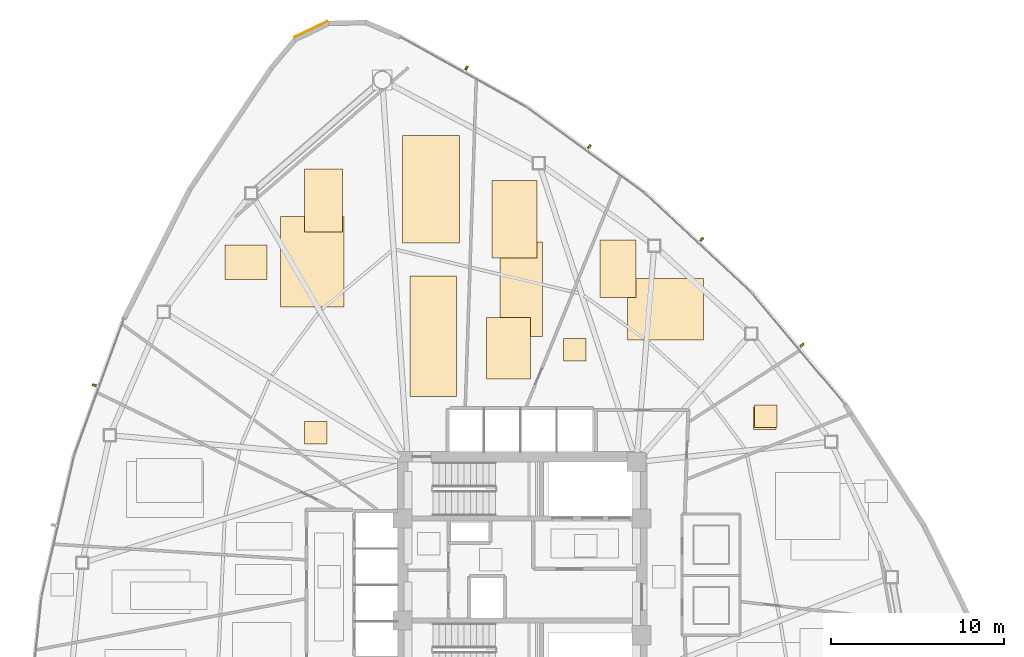
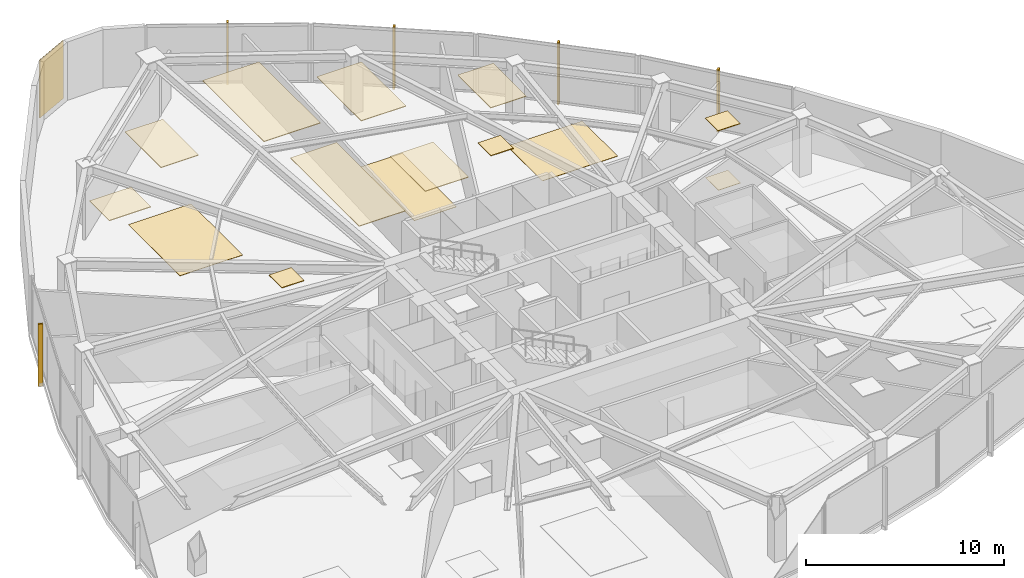
# One storey, part 17 of 17: 15 coverings, 5 shading devices.
"""IFC4 building model written with IfcOpenShell, lengths in metres."""

from ifc_helpers import new_model, si_unit, direction, frame, origin, origin_2d, place, context, subcontext, project, spatial, polyline, rectangle, outline, extrude, source, transform, mapped, material, layer, layer_set, type_object, type_shapes, element, save


model = new_model("IFC4")

# Units and contexts
model_context = context("Model", 3, precision=1e-05, world=origin(), true_north=direction((0.0, 1.0)))
body_context = subcontext(model_context, "Body", "Model", "MODEL_VIEW")
ifc_project = project(units=[si_unit("LENGTHUNIT", "METRE"), si_unit("AREAUNIT", "SQUARE_METRE"), si_unit("VOLUMEUNIT", "CUBIC_METRE"), si_unit("PLANEANGLEUNIT", "RADIAN"), si_unit("MASSUNIT", "GRAM", prefix="KILO")], contexts=[model_context])

# Site, building, storey
site_placement = place(None, origin())
site = spatial("IfcSite", under=ifc_project, at=site_placement, CompositionType="ELEMENT")
building_placement = place(site_placement, origin())
building = spatial("IfcBuilding", under=site, at=building_placement, Name="Tavelor Broadcast Tower", CompositionType="ELEMENT")
storey_placement = place(building_placement, frame((0.0, 0.0, 82.199951171875)))
storey = spatial("IfcBuildingStorey", under=building, at=storey_placement, Name="L19", CompositionType="ELEMENT", Elevation=82.199951171875)

# Coverings
ifc_material_1 = material(Name="Copper-Bronze Anodized Aluminium", Category="aluminium")
ifc_layer_1 = layer(ifc_material_1, 0.050048828125)
ifc_layer_set_1 = layer_set([ifc_layer_1], Name="Copper-Bronze Anodized Aluminium")
covering_type_1 = type_object("IfcCoveringType", Name="Champagne-Bronze Corner Pier Metal Cladding 50 mm", PredefinedType="CLADDING", material=ifc_layer_set_1)
covering_1_placement = place(storey_placement, frame((37.797607421875, 76.20263671875, 0.02001953125), z_axis=(0.0, 0.0, 1.0), x_axis=(-0.901455117112, -0.43287258152, 0.0)))
element("IfcCovering", 1, at=covering_1_placement, inside=storey, type_object=covering_type_1, Name="L19 Champagne-Bronze Corner Cladding 03", PredefinedType="CLADDING", context=body_context, shape_type="SweptSolid", body=[
    extrude(rectangle(XDim=2.110595703125, YDim=0.050048828125, at=origin_2d()), origin(), (0.0, 0.0, 1.0), 3.56005859375),
])
ifc_material_2 = material(Name="Acoustic Nylon Carpet Tile")
ifc_layer_2 = layer(ifc_material_2, 0.02001953125)
ifc_layer_set_2 = layer_set([ifc_layer_2], Name="Acoustic Nylon Carpet Tile")
covering_type_2 = type_object("IfcCoveringType", Name="Heavy-Duty Acoustic Broadcast Carpet Tile 20 mm", PredefinedType="FLOORING", material=ifc_layer_set_2)
covering_2_placement = place(storey_placement, origin())
element("IfcCovering", 2, at=covering_2_placement, inside=storey, type_object=covering_type_2, Name="L19 Broadcast Floor Finish 0282", PredefinedType="FLOORING", context=body_context, shape_type="SweptSolid", body=[
    extrude(outline(polyline([(36.046142578125, 60.165771484375), (39.707275390625, 60.165771484375), (39.707275390625, 65.37353515625), (36.046142578125, 65.37353515625), (36.046142578125, 60.165771484375)])), origin(), (0.0, 0.0, 1.0), 0.02001953125),
])
covering_3_placement = place(storey_placement, origin())
element("IfcCovering", 3, at=covering_3_placement, inside=storey, type_object=covering_type_2, Name="L19 Broadcast Floor Finish 0283", PredefinedType="FLOORING", context=body_context, shape_type="SweptSolid", body=[
    extrude(outline(polyline([(48.7333984375, 58.44189453125), (51.1826171875, 58.44189453125), (51.1826171875, 63.902099609375), (48.7333984375, 63.902099609375), (48.7333984375, 58.44189453125)])), origin(), (0.0, 0.0, 1.0), 0.02001953125),
])
covering_4_placement = place(storey_placement, origin())
element("IfcCovering", 4, at=covering_4_placement, inside=storey, type_object=covering_type_2, Name="L19 Broadcast Floor Finish 0284", PredefinedType="FLOORING", context=body_context, shape_type="SweptSolid", body=[
    extrude(outline(polyline([(56.080810546875, 58.2431640625), (60.470703125, 58.2431640625), (60.470703125, 61.801025390625), (56.080810546875, 61.801025390625), (56.080810546875, 58.2431640625)])), origin(), (0.0, 0.0, 1.0), 0.02001953125),
])
covering_5_placement = place(storey_placement, origin())
element("IfcCovering", 5, at=covering_5_placement, inside=storey, type_object=covering_type_2, Name="L19 Broadcast Floor Finish 0285", PredefinedType="FLOORING", context=body_context, shape_type="SweptSolid", body=[
    extrude(outline(polyline([(63.36865234375, 53.080810546875), (64.668701171875, 53.080810546875), (64.668701171875, 54.380615234375), (63.36865234375, 54.380615234375), (63.36865234375, 53.080810546875)])), origin(), (0.0, 0.0, 1.0), 0.02001953125),
])
ifc_material_3 = material(Name="Acoustic Mineral Fibre Tile")
ifc_layer_3 = layer(ifc_material_3, 0.0400390625)
ifc_layer_set_3 = layer_set([ifc_layer_3], Name="Acoustic Mineral Fibre Tile")
covering_type_3 = type_object("IfcCoveringType", Name="Suspended Acoustic Mineral-Fibre Office Ceiling 40 mm", PredefinedType="CEILING", material=ifc_layer_set_3)
covering_6_placement = place(storey_placement, frame((0.0, 0.0, 3.56005859375)))
element("IfcCovering", 6, at=covering_6_placement, inside=storey, type_object=covering_type_3, Name="L19 Suspended Acoustic Ceiling 0810", PredefinedType="CEILING", context=body_context, shape_type="SweptSolid", body=[
    extrude(outline(polyline([(32.840576171875, 61.742431640625), (35.267333984375, 61.742431640625), (35.267333984375, 63.742919921875), (32.840576171875, 63.742919921875), (32.840576171875, 61.742431640625)])), origin(), (0.0, 0.0, 1.0), 0.0400390625),
])
covering_7_placement = place(storey_placement, frame((0.0, 0.0, 3.56005859375)))
element("IfcCovering", 7, at=covering_7_placement, inside=storey, type_object=covering_type_3, Name="L19 Suspended Acoustic Ceiling 0811", PredefinedType="CEILING", context=body_context, shape_type="SweptSolid", body=[
    extrude(outline(polyline([(37.434326171875, 64.480224609375), (39.633056640625, 64.480224609375), (39.633056640625, 68.120361328125), (37.434326171875, 68.120361328125), (37.434326171875, 64.480224609375)])), origin(), (0.0, 0.0, 1.0), 0.0400390625),
])
covering_8_placement = place(storey_placement, frame((0.0, 0.0, 3.56005859375)))
element("IfcCovering", 8, at=covering_8_placement, inside=storey, type_object=covering_type_3, Name="L19 Suspended Acoustic Ceiling 0812", PredefinedType="CEILING", context=body_context, shape_type="SweptSolid", body=[
    extrude(outline(polyline([(43.08251953125, 63.861083984375), (46.374267578125, 63.861083984375), (46.374267578125, 70.068115234375), (43.08251953125, 70.068115234375), (43.08251953125, 63.861083984375)])), origin(), (0.0, 0.0, 1.0), 0.0400390625),
])
covering_9_placement = place(storey_placement, frame((0.0, 0.0, 3.56005859375)))
element("IfcCovering", 9, at=covering_9_placement, inside=storey, type_object=covering_type_3, Name="L19 Suspended Acoustic Ceiling 0813", PredefinedType="CEILING", context=body_context, shape_type="SweptSolid", body=[
    extrude(outline(polyline([(43.5185546875, 55.001220703125), (46.220947265625, 55.001220703125), (46.220947265625, 61.94921875), (43.5185546875, 61.94921875), (43.5185546875, 55.001220703125)])), origin(), (0.0, 0.0, 1.0), 0.0400390625),
])
covering_10_placement = place(storey_placement, frame((0.0, 0.0, 3.56005859375)))
element("IfcCovering", 10, at=covering_10_placement, inside=storey, type_object=covering_type_3, Name="L19 Suspended Acoustic Ceiling 0814", PredefinedType="CEILING", context=body_context, shape_type="SweptSolid", body=[
    extrude(outline(polyline([(37.42578125, 52.251708984375), (38.725830078125, 52.251708984375), (38.725830078125, 53.5517578125), (37.42578125, 53.5517578125), (37.42578125, 52.251708984375)])), origin(), (0.0, 0.0, 1.0), 0.0400390625),
])
covering_11_placement = place(storey_placement, frame((0.0, 0.0, 3.56005859375)))
element("IfcCovering", 11, at=covering_11_placement, inside=storey, type_object=covering_type_3, Name="L19 Suspended Acoustic Ceiling 0815", PredefinedType="CEILING", context=body_context, shape_type="SweptSolid", body=[
    extrude(outline(polyline([(47.94970703125, 55.990478515625), (50.470458984375, 55.990478515625), (50.470458984375, 59.550537109375), (47.94970703125, 59.550537109375), (47.94970703125, 55.990478515625)])), origin(), (0.0, 0.0, 1.0), 0.0400390625),
])
covering_12_placement = place(storey_placement, frame((0.0, 0.0, 3.56005859375)))
element("IfcCovering", 12, at=covering_12_placement, inside=storey, type_object=covering_type_3, Name="L19 Suspended Acoustic Ceiling 0816", PredefinedType="CEILING", context=body_context, shape_type="SweptSolid", body=[
    extrude(outline(polyline([(48.25244140625, 62.984619140625), (50.86328125, 62.984619140625), (50.86328125, 67.474365234375), (48.25244140625, 67.474365234375), (48.25244140625, 62.984619140625)])), origin(), (0.0, 0.0, 1.0), 0.0400390625),
])
covering_13_placement = place(storey_placement, frame((0.0, 0.0, 3.56005859375)))
element("IfcCovering", 13, at=covering_13_placement, inside=storey, type_object=covering_type_3, Name="L19 Suspended Acoustic Ceiling 0817", PredefinedType="CEILING", context=body_context, shape_type="SweptSolid", body=[
    extrude(outline(polyline([(52.39697265625, 57.052001953125), (53.697021484375, 57.052001953125), (53.697021484375, 58.351806640625), (52.39697265625, 58.351806640625), (52.39697265625, 57.052001953125)])), origin(), (0.0, 0.0, 1.0), 0.0400390625),
])
covering_14_placement = place(storey_placement, frame((0.0, 0.0, 3.56005859375)))
element("IfcCovering", 14, at=covering_14_placement, inside=storey, type_object=covering_type_3, Name="L19 Suspended Acoustic Ceiling 0818", PredefinedType="CEILING", context=body_context, shape_type="SweptSolid", body=[
    extrude(outline(polyline([(54.49267578125, 60.7021484375), (56.564453125, 60.7021484375), (56.564453125, 64.041015625), (54.49267578125, 64.041015625), (54.49267578125, 60.7021484375)])), origin(), (0.0, 0.0, 1.0), 0.0400390625),
])
covering_15_placement = place(storey_placement, frame((0.0, 0.0, 3.56005859375)))
element("IfcCovering", 15, at=covering_15_placement, inside=storey, type_object=covering_type_3, Name="L19 Suspended Acoustic Ceiling 0819", PredefinedType="CEILING", context=body_context, shape_type="SweptSolid", body=[
    extrude(outline(polyline([(63.423095703125, 53.202392578125), (64.722900390625, 53.202392578125), (64.722900390625, 54.50244140625), (63.423095703125, 54.50244140625), (63.423095703125, 53.202392578125)])), origin(), (0.0, 0.0, 1.0), 0.0400390625),
])

# Shading devices
ifc_material_4 = material(Name="Kiln-Fired Glazed Terracotta", Category="masonry")
shading_device_type = type_object("IfcShadingDeviceType", Name="Extruded Terracotta Baguette Sun-Screen 110x240", PredefinedType="JALOUSIE", material=ifc_material_4)
shared_shape = source(origin(), body_context, "Body", "SweptSolid", [
    extrude(rectangle(XDim=0.110107421875, YDim=0.239990234375, at=origin_2d()), origin(), (0.0, 0.0, 1.0), 3.840087890625),
])
type_shapes(shading_device_type, [shared_shape])
for number, where, z_axis, x_axis, name in (
    (16, (25.2900390625, 55.643310546875, -0.259765625), (0.0, 0.0, 1.0), (-0.341692107891, -0.939811951086, 0.0), "L19 Terracotta Baguette Fin 181"),
    (17, (66.17236328125, 57.960205078125, -0.259765625), (0.0, 0.0, 1.0), (-0.643188621489, 0.765707775321, 0.0), "L19 Terracotta Baguette Fin 189"),
    (18, (60.377197265625, 64.06689453125, -0.259765625), (0.0, 0.0, 1.0), (-0.730996507877, 0.682381202461, 0.0), "L19 Terracotta Baguette Fin 190"),
    (19, (53.8857421875, 69.427490234375, -0.259765625), (0.0, 0.0, 1.0), (-0.808298275618, 0.588773214093, 0.0), "L19 Terracotta Baguette Fin 191"),
    (20, (46.793212890625, 73.963134765625, -0.259765625), (0.0, 0.0, 1.0), (-0.873602406733, 0.486640354832, 0.0), "L19 Terracotta Baguette Fin 192"),
):
    element("IfcShadingDevice", number, at=place(storey_placement, frame(where, z_axis=z_axis, x_axis=x_axis)), inside=storey, type_object=shading_device_type, Name=name, PredefinedType="JALOUSIE", context=body_context, shape_type="MappedRepresentation", body=[
        mapped(shared_shape, transform((0.0, 0.0, 0.0), scale=1.0)),
    ])

save(model, "model.ifc")
